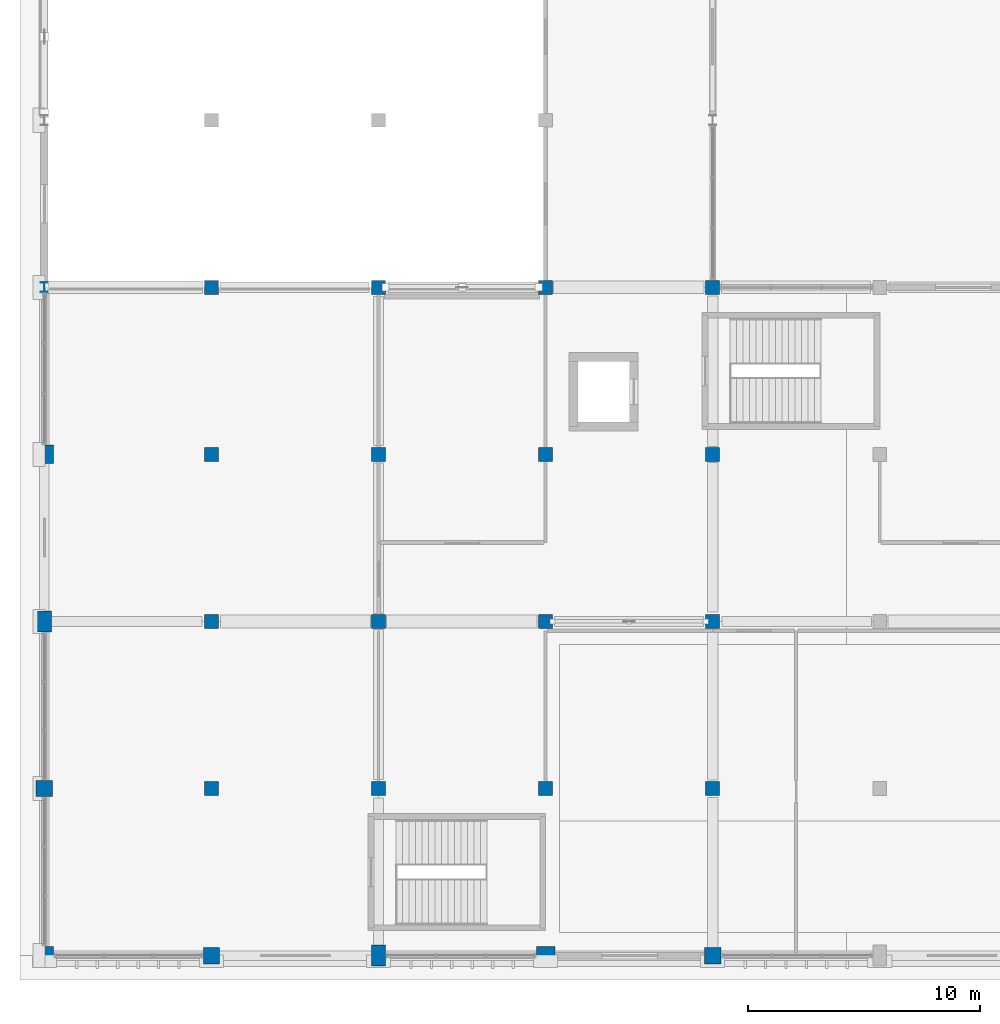
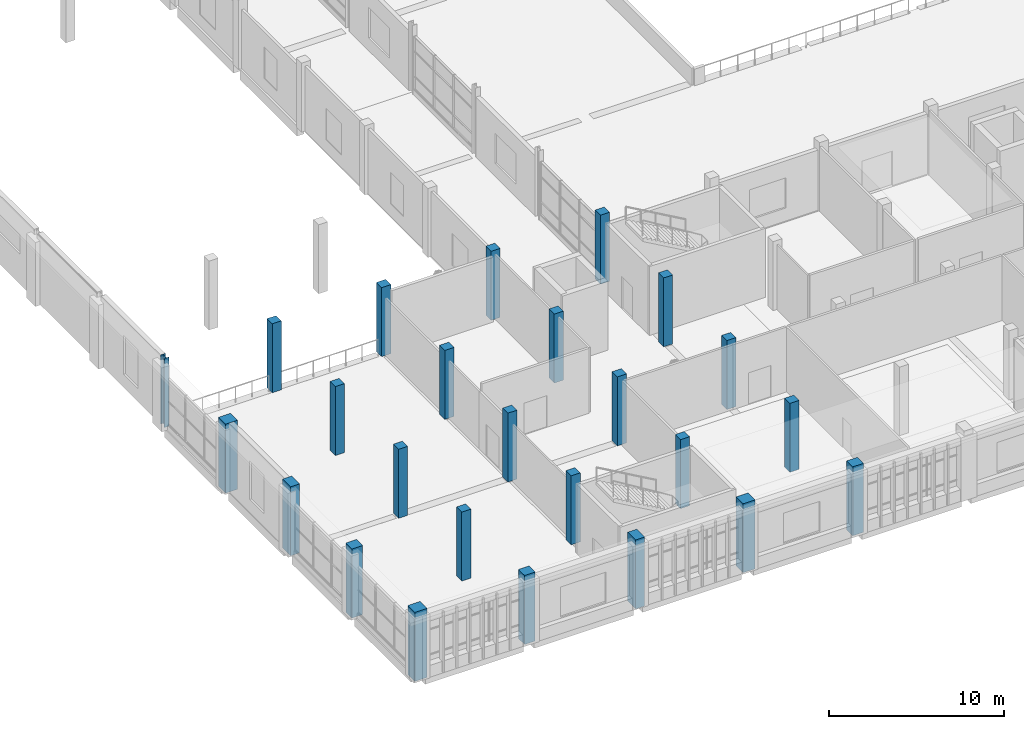
# One storey, part 1 of 82: 25 columns.
"""IFC4 building model written with IfcOpenShell, lengths in metres."""

from ifc_helpers import new_model, si_unit, direction, frame, origin, origin_2d, place, context, subcontext, project, spatial, rectangle, i_section, extrude, material, material_profile, profile_set, type_object, element, save


model = new_model("IFC4")

# Units and contexts
model_context = context("Model", 3, precision=1e-05, world=origin(), true_north=direction((0.0, 1.0)))
body_context = subcontext(model_context, "Body", "Model", "MODEL_VIEW")
ifc_project = project(units=[si_unit("LENGTHUNIT", "METRE"), si_unit("AREAUNIT", "SQUARE_METRE"), si_unit("VOLUMEUNIT", "CUBIC_METRE"), si_unit("PLANEANGLEUNIT", "RADIAN"), si_unit("MASSUNIT", "GRAM", prefix="KILO")], contexts=[model_context])

# Site, building, storey
site_placement = place(None, origin())
site = spatial("IfcSite", under=ifc_project, at=site_placement, CompositionType="ELEMENT")
building_placement = place(site_placement, origin())
building = spatial("IfcBuilding", under=site, at=building_placement, Name="Sardonyx Promenade Sports Hall", CompositionType="ELEMENT")
storey_placement = place(building_placement, frame((0.0, 0.0, 11.199951171875)))
storey = spatial("IfcBuildingStorey", under=building, at=storey_placement, Name="L02", CompositionType="ELEMENT", Elevation=11.199951171875)

# Columns
ifc_material_1 = material(Name="Steel S355JR", Category="steel")
ifc_material_profile_1 = material_profile(ifc_material_1, i_section(OverallWidth=0.300048828125, OverallDepth=0.43994140625, WebThickness=0.011474609375, FlangeThickness=0.02099609375, at=origin_2d()))
ifc_profile_set_1 = profile_set([ifc_material_profile_1], Name="Steel S355JR")
column_type_1 = type_object("IfcColumnType", Name="Col_Ext_HEA450", PredefinedType="COLUMN", material=ifc_profile_set_1)
column_placement = place(storey_placement, frame((0.0, 28.800048828125, 0.0), z_axis=(0.0, 0.0, 1.0), x_axis=(1.0, 0.0, 0.0)))
element("IfcColumn", 1, at=column_placement, inside=storey, type_object=column_type_1, Name="Column CE10 L02 (0.0,28.8)", PredefinedType="COLUMN", context=body_context, shape_type="SweptSolid", body=[
    extrude(i_section(OverallWidth=0.300048828125, OverallDepth=0.43994140625, WebThickness=0.011474609375, FlangeThickness=0.02099609375, at=origin_2d()), origin(), (0.0, 0.0, 1.0), 4.800048828125),
])
ifc_material_2 = material(Name="Concrete C40/50", Category="concrete")
ifc_material_profile_2 = material_profile(ifc_material_2, rectangle(XDim=0.60009765625, YDim=0.89990234375, at=origin_2d()))
ifc_profile_set_2 = profile_set([ifc_material_profile_2], Name="Concrete C40/50")
column_type_2 = type_object("IfcColumnType", Name="Col_Ext_RC600x900", PredefinedType="COLUMN", material=ifc_profile_set_2)
for number, where, z_axis, x_axis, name in (
    (2, (0.0, 14.39990234375, 0.0), (0.0, 0.0, 1.0), (1.0, 0.0, 0.0), "Column CE12 L02 (0.0,14.4)"),
    (3, (14.39990234375, 0.0, 0.0), (0.0, 0.0, 1.0), (1.0, 0.0, 0.0), "Column CE12 L02 (14.4,0.0)"),
):
    element("IfcColumn", number, at=place(storey_placement, frame(where, z_axis=z_axis, x_axis=x_axis)), inside=storey, type_object=column_type_2, Name=name, PredefinedType="COLUMN", context=body_context, shape_type="SweptSolid", body=[
        extrude(rectangle(XDim=0.60009765625, YDim=0.89990234375, at=origin_2d()), origin(), (0.0, 0.0, 1.0), 4.800048828125),
    ])
ifc_material_3 = material(Name="Concrete C40/50", Category="concrete")
ifc_material_profile_3 = material_profile(ifc_material_3, rectangle(XDim=0.699951171875, YDim=0.699951171875, at=origin_2d()))
ifc_profile_set_3 = profile_set([ifc_material_profile_3], Name="Concrete C40/50")
column_type_3 = type_object("IfcColumnType", Name="Col_Ext_RC700", PredefinedType="COLUMN", material=ifc_profile_set_3)
for number, where, z_axis, x_axis, name in (
    (4, (0.0, 7.199951171875, 0.0), (0.0, 0.0, 1.0), (1.0, 0.0, 0.0), "Column CE05 L02 (0.0,7.2)"),
    (5, (7.199951171875, 0.0, 0.0), (0.0, 0.0, 1.0), (1.0, 0.0, 0.0), "Column CE05 L02 (7.2,0.0)"),
    (6, (28.800048828125, 0.0, 0.0), (0.0, 0.0, 1.0), (1.0, 0.0, 0.0), "Column CE05 L02 (28.8,0.0)"),
):
    element("IfcColumn", number, at=place(storey_placement, frame(where, z_axis=z_axis, x_axis=x_axis)), inside=storey, type_object=column_type_3, Name=name, PredefinedType="COLUMN", context=body_context, shape_type="SweptSolid", body=[
        extrude(rectangle(XDim=0.699951171875, YDim=0.699951171875, at=origin_2d()), origin(), (0.0, 0.0, 1.0), 4.800048828125),
    ])
ifc_material_4 = material(Name="Concrete C50/60", Category="concrete")
ifc_material_profile_4 = material_profile(ifc_material_4, rectangle(XDim=0.800048828125, YDim=0.800048828125, at=origin_2d()))
ifc_profile_set_4 = profile_set([ifc_material_profile_4], Name="Concrete C50/60")
column_type_4 = type_object("IfcColumnType", Name="Col_Ext_RC800", PredefinedType="COLUMN", material=ifc_profile_set_4)
for number, where, z_axis, x_axis, name in (
    (7, (0.0, 0.0, 0.0), (0.0, 0.0, 1.0), (1.0, 0.0, 0.0), "Column CE13 L02 (0.0,0.0)"),
    (8, (0.0, 21.60009765625, 0.0), (0.0, 0.0, 1.0), (1.0, 0.0, 0.0), "Column CE13 L02 (0.0,21.6)"),
    (9, (21.60009765625, 0.0, 0.0), (0.0, 0.0, 1.0), (1.0, 0.0, 0.0), "Column CE13 L02 (21.6,0.0)"),
):
    element("IfcColumn", number, at=place(storey_placement, frame(where, z_axis=z_axis, x_axis=x_axis)), inside=storey, type_object=column_type_4, Name=name, PredefinedType="COLUMN", context=body_context, shape_type="SweptSolid", body=[
        extrude(rectangle(XDim=0.800048828125, YDim=0.800048828125, at=origin_2d()), origin(), (0.0, 0.0, 1.0), 4.800048828125),
    ])
ifc_material_5 = material(Name="Concrete C40/50", Category="concrete")
ifc_material_profile_5 = material_profile(ifc_material_5, rectangle(XDim=0.60009765625, YDim=0.60009765625, at=origin_2d()))
ifc_profile_set_5 = profile_set([ifc_material_profile_5], Name="Concrete C40/50")
column_type_5 = type_object("IfcColumnType", Name="Col_Int_RC600", PredefinedType="COLUMN", material=ifc_profile_set_5)
for number, where, z_axis, x_axis, name in (
    (10, (7.199951171875, 7.199951171875, 0.0), (0.0, 0.0, 1.0), (1.0, 0.0, 0.0), "Column CI02 L02 (7.2,7.2)"),
    (11, (7.199951171875, 14.39990234375, 0.0), (0.0, 0.0, 1.0), (1.0, 0.0, 0.0), "Column CI02 L02 (7.2,14.4)"),
    (12, (7.199951171875, 21.60009765625, 0.0), (0.0, 0.0, 1.0), (1.0, 0.0, 0.0), "Column CI02 L02 (7.2,21.6)"),
    (13, (7.199951171875, 28.800048828125, 0.0), (0.0, 0.0, 1.0), (1.0, 0.0, 0.0), "Column CI02 L02 (7.2,28.8)"),
    (14, (14.39990234375, 7.199951171875, 0.0), (0.0, 0.0, 1.0), (1.0, 0.0, 0.0), "Column CI02 L02 (14.4,7.2)"),
    (15, (14.39990234375, 14.39990234375, 0.0), (0.0, 0.0, 1.0), (1.0, 0.0, 0.0), "Column CI02 L02 (14.4,14.4)"),
    (16, (14.39990234375, 21.60009765625, 0.0), (0.0, 0.0, 1.0), (1.0, 0.0, 0.0), "Column CI02 L02 (14.4,21.6)"),
    (17, (14.39990234375, 28.800048828125, 0.0), (0.0, 0.0, 1.0), (1.0, 0.0, 0.0), "Column CI02 L02 (14.4,28.8)"),
    (18, (21.60009765625, 7.199951171875, 0.0), (0.0, 0.0, 1.0), (1.0, 0.0, 0.0), "Column CI02 L02 (21.6,7.2)"),
    (19, (21.60009765625, 14.39990234375, 0.0), (0.0, 0.0, 1.0), (1.0, 0.0, 0.0), "Column CI02 L02 (21.6,14.4)"),
    (20, (21.60009765625, 21.60009765625, 0.0), (0.0, 0.0, 1.0), (1.0, 0.0, 0.0), "Column CI02 L02 (21.6,21.6)"),
    (21, (21.60009765625, 28.800048828125, 0.0), (0.0, 0.0, 1.0), (1.0, 0.0, 0.0), "Column CI02 L02 (21.6,28.8)"),
    (22, (28.800048828125, 7.199951171875, 0.0), (0.0, 0.0, 1.0), (1.0, 0.0, 0.0), "Column CI02 L02 (28.8,7.2)"),
    (23, (28.800048828125, 14.39990234375, 0.0), (0.0, 0.0, 1.0), (1.0, 0.0, 0.0), "Column CI02 L02 (28.8,14.4)"),
    (24, (28.800048828125, 21.60009765625, 0.0), (0.0, 0.0, 1.0), (1.0, 0.0, 0.0), "Column CI02 L02 (28.8,21.6)"),
    (25, (28.800048828125, 28.800048828125, 0.0), (0.0, 0.0, 1.0), (1.0, 0.0, 0.0), "Column CI02 L02 (28.8,28.8)"),
):
    element("IfcColumn", number, at=place(storey_placement, frame(where, z_axis=z_axis, x_axis=x_axis)), inside=storey, type_object=column_type_5, Name=name, PredefinedType="COLUMN", context=body_context, shape_type="SweptSolid", body=[
        extrude(rectangle(XDim=0.60009765625, YDim=0.60009765625, at=origin_2d()), origin(), (0.0, 0.0, 1.0), 4.800048828125),
    ])

save(model, "model.ifc")
